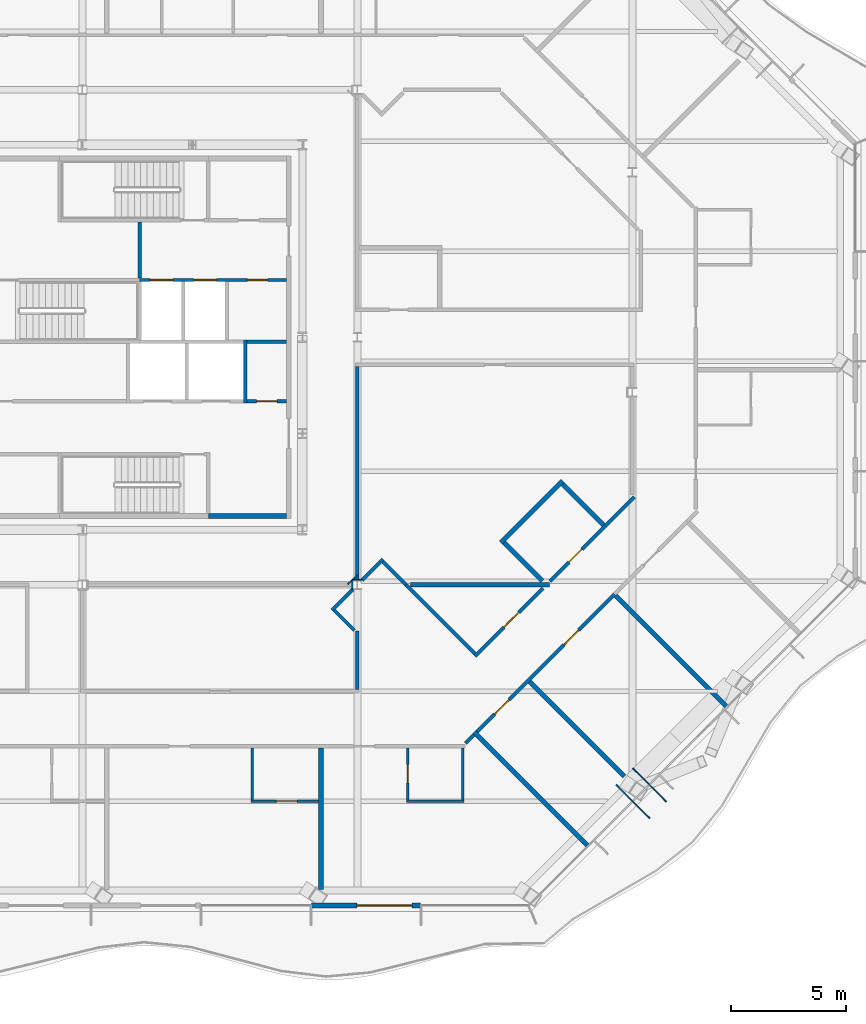
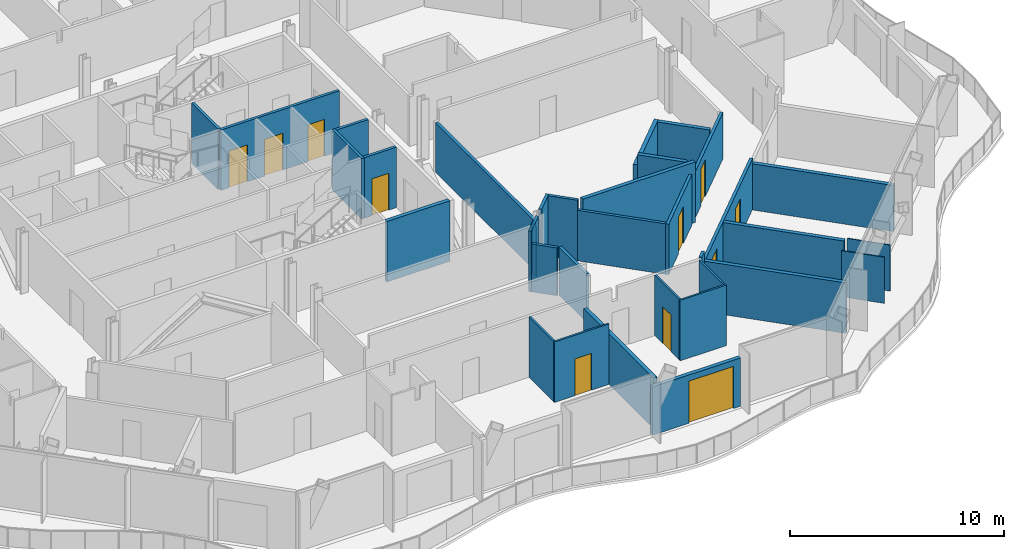
# One storey, part 9 of 19: 36 walls, 11 doors, 11 openings.
"""IFC4 building model written with IfcOpenShell, lengths in metres."""

from ifc_helpers import new_model, si_unit, direction, frame, frame_2d, origin, place, context, subcontext, project, spatial, polyline, rectangle, outline, extrude, material, layer, layer_set, type_object, element, fill, save


model = new_model("IFC4")

# Units and contexts
model_context = context("Model", 3, precision=1e-05, world=origin(), true_north=direction((0.0, 1.0)))
body_context = subcontext(model_context, "Body", "Model", "MODEL_VIEW")
ifc_project = project(units=[si_unit("LENGTHUNIT", "METRE"), si_unit("AREAUNIT", "SQUARE_METRE"), si_unit("VOLUMEUNIT", "CUBIC_METRE"), si_unit("PLANEANGLEUNIT", "RADIAN"), si_unit("MASSUNIT", "GRAM", prefix="KILO")], contexts=[model_context])

# Site, building, storey
site_placement = place(None, origin())
site = spatial("IfcSite", under=ifc_project, at=site_placement, CompositionType="ELEMENT")
building_placement = place(site_placement, origin())
building = spatial("IfcBuilding", under=site, at=building_placement, Name="Cairn Pilgrim Tower", CompositionType="ELEMENT")
storey_placement = place(building_placement, frame((0.0, 0.0, 190.199951171875)))
storey = spatial("IfcBuildingStorey", under=building, at=storey_placement, Name="L48", CompositionType="ELEMENT", Elevation=190.199951171875)

# Wall, opening, door
ifc_material_1 = material(Name="Bronze anodised aluminium insulated sandwich panel with mineral wool fill", Category="aluminium")
ifc_layer_1 = layer(ifc_material_1, 0.199951171875)
ifc_layer_set_1 = layer_set([ifc_layer_1], Name="BRONZE INFILL FRAME WALL 200")
wall_type_1 = type_object("IfcWallType", Name="BRONZE INFILL FRAME WALL 200", PredefinedType="NOTDEFINED", material=ifc_layer_set_1)
wall_1_placement = place(storey_placement, frame((17.205078125, -22.39990234375, 0.0), z_axis=(0.0, 0.0, 1.0), x_axis=(1.0, 0.0, 0.0)))
wall_1 = element("IfcWall", 1, at=wall_1_placement, inside=storey, type_object=wall_type_1, Name="Bronze infill frame wall IW-S5", PredefinedType="NOTDEFINED", context=body_context, shape_type="SweptSolid", body=[
    extrude(rectangle(XDim=4.739990234375, YDim=0.199951171875, at=frame_2d((2.3701171875, 0.0))), origin(), (0.0, 0.0, 1.0), 2.75),
])
opening_1_placement = place(wall_1_placement, frame((1.97021484375, 0.0, 0.0)))
opening_1 = element("IfcOpeningElement", 2, at=opening_1_placement, cuts=wall_1, Name="Opening 4802B", PredefinedType="OPENING", context=body_context, shape_type="SweptSolid", body=[
    extrude(rectangle(XDim=2.39990234375, YDim=2.39990234375, at=frame_2d((1.199951171875, 1.199951171875))), frame((0.0, 0.10986328125, 0.0), z_axis=(0.0, -1.0, 0.0), x_axis=(1.0, 0.0, 0.0)), (0.0, 0.0, 1.0), 0.219970703125),
])
ifc_material_2 = material(Name="Bronze anodised aluminium frame with tinted low-E glass", Category="aluminium")
door_type_1 = type_object("IfcDoorType", Name="BALCONY SLIDING DOOR 2400x2400", OperationType="DOUBLE_DOOR_SLIDING", PredefinedType="DOOR", material=ifc_material_2)
door_1_placement = place(opening_1_placement, origin())
door_1 = element("IfcDoor", 3, at=door_1_placement, inside=storey, type_object=door_type_1, Name="Balcony sliding door 4802B", OperationType="SINGLE_SWING_LEFT", OverallHeight=2.39990234375, OverallWidth=2.39990234375, PredefinedType="DOOR", context=body_context, shape_type="SweptSolid", body=[
    extrude(rectangle(XDim=2.39990234375, YDim=2.39990234375, at=frame_2d((1.199951171875, 1.199951171875))), frame((0.0, 0.02490234375, 0.0), z_axis=(0.0, -1.0, 0.0), x_axis=(1.0, 0.0, 0.0)), (0.0, 0.0, 1.0), 0.050048828125),
])
fill(opening_1, door_1)

# Wall
ifc_material_3 = material(Name="Concrete C32/40", Category="concrete")
ifc_layer_2 = layer(ifc_material_3, 0.199951171875)
ifc_layer_set_2 = layer_set([ifc_layer_2], Name="CORE OUTER WALL 200 EI 120")
wall_type_2 = type_object("IfcWallType", Name="CORE OUTER WALL 200 EI 120", PredefinedType="SOLIDWALL", material=ifc_layer_set_2)
wall_2_placement = place(storey_placement, frame((12.699951171875, -5.39990234375, 0.0), z_axis=(0.0, 0.0, 1.0), x_axis=(1.0, 0.0, 0.0)))
element("IfcWall", 4, at=wall_2_placement, inside=storey, type_object=wall_type_2, Name="CW:L48:H01-3", PredefinedType="SOLIDWALL", context=body_context, shape_type="SweptSolid", body=[
    extrude(rectangle(XDim=3.400146484375, YDim=0.199951171875, at=frame_2d((1.7001953125, 0.0))), origin(), (0.0, 0.0, 1.0), 3.449951171875),
])

# Wall, opening, door
ifc_layer_3 = layer(ifc_material_3, 0.14990234375)
ifc_layer_set_3 = layer_set([ifc_layer_3], Name="CORE PARTITION 150 EI 60")
wall_type_3 = type_object("IfcWallType", Name="CORE PARTITION 150 EI 60", PredefinedType="PARTITIONING", material=ifc_layer_set_3)
wall_3_placement = place(storey_placement, frame((14.375, -0.39990234375, 0.0), z_axis=(0.0, 0.0, 1.0), x_axis=(1.0, 0.0, 0.0)))
wall_3 = element("IfcWall", 5, at=wall_3_placement, inside=storey, type_object=wall_type_3, Name="CW:L48:H06", PredefinedType="PARTITIONING", context=body_context, shape_type="SweptSolid", body=[
    extrude(rectangle(XDim=1.72509765625, YDim=0.14990234375, at=frame_2d((0.862548828125, 0.0))), origin(), (0.0, 0.0, 1.0), 3.449951171875),
])
opening_2_placement = place(wall_3_placement, frame((0.425048828125, 0.0, 0.0)))
opening_2 = element("IfcOpeningElement", 6, at=opening_2_placement, cuts=wall_3, Name="Opening RD-R2E", PredefinedType="OPENING", context=body_context, shape_type="SweptSolid", body=[
    extrude(rectangle(XDim=0.89990234375, YDim=2.10009765625, at=frame_2d((0.449951171875, 1.050048828125))), frame((0.0, 0.0849609375, 0.0), z_axis=(0.0, -1.0, 0.0), x_axis=(1.0, 0.0, 0.0)), (0.0, 0.0, 1.0), 0.169921875),
])
ifc_material_4 = material(Name="Painted steel", Category="steel")
door_type_2 = type_object("IfcDoorType", Name="SERVICE ROOM DOOR 900x2100", OperationType="SINGLE_SWING_LEFT", PredefinedType="DOOR", material=ifc_material_4)
door_2_placement = place(opening_2_placement, origin())
door_2 = element("IfcDoor", 7, at=door_2_placement, inside=storey, type_object=door_type_2, Name="RD-R2E", OperationType="SINGLE_SWING_RIGHT", OverallHeight=2.10009765625, OverallWidth=0.89990234375, PredefinedType="DOOR", context=body_context, shape_type="SweptSolid", body=[
    extrude(rectangle(XDim=0.89990234375, YDim=2.10009765625, at=frame_2d((0.449951171875, 1.050048828125))), frame((0.0, 0.02490234375, 0.0), z_axis=(0.0, -1.0, 0.0), x_axis=(1.0, 0.0, 0.0)), (0.0, 0.0, 1.0), 0.050048828125),
])
fill(opening_2, door_2)

# Wall
wall_4_placement = place(storey_placement, frame((14.375, 2.199951171875, 0.0), z_axis=(0.0, 0.0, 1.0), x_axis=(1.0, 0.0, 0.0)))
element("IfcWall", 8, at=wall_4_placement, inside=storey, type_object=wall_type_3, Name="CW:L48:H08", PredefinedType="PARTITIONING", context=body_context, shape_type="SweptSolid", body=[
    extrude(rectangle(XDim=1.72509765625, YDim=0.14990234375, at=frame_2d((0.862548828125, 0.0))), origin(), (0.0, 0.0, 1.0), 3.449951171875),
])

# Wall, openings, doors
ifc_layer_4 = layer(ifc_material_3, 0.14990234375)
ifc_layer_set_4 = layer_set([ifc_layer_4], Name="CORE SHAFT WALL 150 EI 120")
wall_type_4 = type_object("IfcWallType", Name="CORE SHAFT WALL 150 EI 120", PredefinedType="SOLIDWALL", material=ifc_layer_set_4)
wall_5_placement = place(storey_placement, frame((9.699951171875, 4.89990234375, 0.0), z_axis=(0.0, 0.0, 1.0), x_axis=(1.0, 0.0, 0.0)))
wall_5 = element("IfcWall", 9, at=wall_5_placement, inside=storey, type_object=wall_type_4, Name="CW:L48:H09-3", PredefinedType="SOLIDWALL", context=body_context, shape_type="SweptSolid", body=[
    extrude(rectangle(XDim=6.400146484375, YDim=0.14990234375, at=frame_2d((3.2001953125, 0.0))), origin(), (0.0, 0.0, 1.0), 3.449951171875),
])
opening_3_placement = place(wall_5_placement, frame((0.449951171875, 0.0, 0.0)))
opening_3 = element("IfcOpeningElement", 10, at=opening_3_placement, cuts=wall_5, Name="Opening LD-FF1", PredefinedType="OPENING", context=body_context, shape_type="SweptSolid", body=[
    extrude(rectangle(XDim=1.0, YDim=2.10009765625, at=frame_2d((0.5, 1.050048828125))), frame((0.0, 0.0849609375, 0.0), z_axis=(0.0, -1.0, 0.0), x_axis=(1.0, 0.0, 0.0)), (0.0, 0.0, 1.0), 0.169921875),
])
opening_4_placement = place(wall_5_placement, frame((2.35009765625, 0.0, 0.0)))
opening_4 = element("IfcOpeningElement", 11, at=opening_4_placement, cuts=wall_5, Name="Opening LD-FF2", PredefinedType="OPENING", context=body_context, shape_type="SweptSolid", body=[
    extrude(rectangle(XDim=1.0, YDim=2.10009765625, at=frame_2d((0.5, 1.050048828125))), frame((0.0, 0.0849609375, 0.0), z_axis=(0.0, -1.0, 0.0), x_axis=(1.0, 0.0, 0.0)), (0.0, 0.0, 1.0), 0.169921875),
])
opening_5_placement = place(wall_5_placement, frame((4.699951171875, 0.0, 0.0)))
opening_5 = element("IfcOpeningElement", 12, at=opening_5_placement, cuts=wall_5, Name="Opening RD-R3E", PredefinedType="OPENING", context=body_context, shape_type="SweptSolid", body=[
    extrude(rectangle(XDim=0.89990234375, YDim=2.10009765625, at=frame_2d((0.449951171875, 1.050048828125))), frame((0.0, 0.0849609375, 0.0), z_axis=(0.0, -1.0, 0.0), x_axis=(1.0, 0.0, 0.0)), (0.0, 0.0, 1.0), 0.169921875),
])
ifc_material_5 = material(Name="Stainless steel", Category="steel")
door_type_3 = type_object("IfcDoorType", Name="LIFT LANDING DOOR FIRE 1000x2100", OperationType="DOUBLE_DOOR_SLIDING", PredefinedType="DOOR", material=ifc_material_5)
door_3_placement = place(opening_3_placement, origin())
door_3 = element("IfcDoor", 13, at=door_3_placement, inside=storey, type_object=door_type_3, Name="LANDING DOOR FF1", OperationType="DOUBLE_DOOR_SLIDING", OverallHeight=2.10009765625, OverallWidth=1.0, PredefinedType="DOOR", context=body_context, shape_type="SweptSolid", body=[
    extrude(rectangle(XDim=1.0, YDim=2.10009765625, at=frame_2d((0.5, 1.050048828125))), frame((0.0, 0.02490234375, 0.0), z_axis=(0.0, -1.0, 0.0), x_axis=(1.0, 0.0, 0.0)), (0.0, 0.0, 1.0), 0.050048828125),
])
fill(opening_3, door_3)
door_4_placement = place(opening_4_placement, origin())
door_4 = element("IfcDoor", 14, at=door_4_placement, inside=storey, type_object=door_type_3, Name="LANDING DOOR FF2", OperationType="DOUBLE_DOOR_SLIDING", OverallHeight=2.10009765625, OverallWidth=1.0, PredefinedType="DOOR", context=body_context, shape_type="SweptSolid", body=[
    extrude(rectangle(XDim=1.0, YDim=2.10009765625, at=frame_2d((0.5, 1.050048828125))), frame((0.0, 0.02490234375, 0.0), z_axis=(0.0, -1.0, 0.0), x_axis=(1.0, 0.0, 0.0)), (0.0, 0.0, 1.0), 0.050048828125),
])
fill(opening_4, door_4)
door_5_placement = place(opening_5_placement, origin())
door_5 = element("IfcDoor", 15, at=door_5_placement, inside=storey, type_object=door_type_2, Name="RD-R3E", OperationType="SINGLE_SWING_LEFT", OverallHeight=2.10009765625, OverallWidth=0.89990234375, PredefinedType="DOOR", context=body_context, shape_type="SweptSolid", body=[
    extrude(rectangle(XDim=0.89990234375, YDim=2.10009765625, at=frame_2d((0.449951171875, 1.050048828125))), frame((0.0, 0.02490234375, 0.0), z_axis=(0.0, -1.0, 0.0), x_axis=(1.0, 0.0, 0.0)), (0.0, 0.0, 1.0), 0.050048828125),
])
fill(opening_5, door_5)

# Walls
wall_6_placement = place(storey_placement, frame((9.699951171875, 4.97509765625, 0.0), z_axis=(0.0, 0.0, 1.0), x_axis=(0.0, 1.0, 0.0)))
element("IfcWall", 16, at=wall_6_placement, inside=storey, type_object=wall_type_4, Name="CW:L48:V22", PredefinedType="SOLIDWALL", context=body_context, shape_type="SweptSolid", body=[
    extrude(rectangle(XDim=2.449951171875, YDim=0.14990234375, at=frame_2d((1.22509765625, 0.0))), origin(), (0.0, 0.0, 1.0), 3.449951171875),
])
wall_7_placement = place(storey_placement, frame((14.300048828125, -0.47509765625, 0.0), z_axis=(0.0, 0.0, 1.0), x_axis=(0.0, 1.0, 0.0)))
element("IfcWall", 17, at=wall_7_placement, inside=storey, type_object=wall_type_4, Name="CW:L48:V28", PredefinedType="SOLIDWALL", context=body_context, shape_type="SweptSolid", body=[
    extrude(rectangle(XDim=2.75, YDim=0.14990234375, at=frame_2d((1.375, 0.0))), origin(), (0.0, 0.0, 1.0), 3.449951171875),
])

# Wall, opening, door
ifc_material_6 = material(Name="Gypsum partition")
ifc_layer_5 = layer(ifc_material_6, 0.10009765625)
ifc_layer_set_5 = layer_set([ifc_layer_5], Name="PARTITION 100 DRYWALL")
wall_type_5 = type_object("IfcWallType", Name="PARTITION 100 DRYWALL", PredefinedType="PARTITIONING", material=ifc_layer_set_5)
wall_8_placement = place(storey_placement, frame((14.56298828125, -17.85009765625, 0.0), z_axis=(0.0, 0.0, 1.0), x_axis=(1.0, 0.0, 0.0)))
wall_8 = element("IfcWall", 18, at=wall_8_placement, inside=storey, type_object=wall_type_5, Name="PARTITION W006", PredefinedType="PARTITIONING", context=body_context, shape_type="SweptSolid", body=[
    extrude(rectangle(XDim=2.949951171875, YDim=0.10009765625, at=frame_2d((1.47509765625, 0.0))), origin(), (0.0, 0.0, 1.0), 3.449951171875),
])
opening_6_placement = place(wall_8_placement, frame((1.10009765625, 0.0, 0.0)))
opening_6 = element("IfcOpeningElement", 19, at=opening_6_placement, cuts=wall_8, Name="Opening 4801A", PredefinedType="OPENING", context=body_context, shape_type="SweptSolid", body=[
    extrude(rectangle(XDim=0.89990234375, YDim=2.10009765625, at=frame_2d((0.449951171875, 1.050048828125))), frame((0.0, 0.06005859375, 0.0), z_axis=(0.0, -1.0, 0.0), x_axis=(1.0, 0.0, 0.0)), (0.0, 0.0, 1.0), 0.1201171875),
])
ifc_material_7 = material(Name="Timber door leaf", Category="wood")
door_type_4 = type_object("IfcDoorType", Name="WC DOOR 900x2100", OperationType="NOTDEFINED", PredefinedType="DOOR", material=ifc_material_7)
door_6_placement = place(opening_6_placement, frame((0.89990234375, 0.0, 0.0), z_axis=(0.0, 0.0, 1.0), x_axis=(-1.0, 0.0, 0.0)))
door_6 = element("IfcDoor", 20, at=door_6_placement, inside=storey, type_object=door_type_4, Name="DOOR 4801A", OperationType="SINGLE_SWING_RIGHT", OverallHeight=2.10009765625, OverallWidth=0.89990234375, PredefinedType="DOOR", context=body_context, shape_type="SweptSolid", body=[
    extrude(rectangle(XDim=0.89990234375, YDim=2.10009765625, at=frame_2d((0.449951171875, 1.050048828125))), frame((0.0, 0.02490234375, 0.0), z_axis=(0.0, -1.0, 0.0), x_axis=(1.0, 0.0, 0.0)), (0.0, 0.0, 1.0), 0.050048828125),
])
fill(opening_6, door_6)

# Walls
wall_9_placement = place(storey_placement, frame((21.343017578125, -17.85009765625, 0.0), z_axis=(0.0, 0.0, 1.0), x_axis=(1.0, 0.0, 0.0)))
element("IfcWall", 21, at=wall_9_placement, inside=storey, type_object=wall_type_5, Name="PARTITION W007", PredefinedType="PARTITIONING", context=body_context, shape_type="SweptSolid", body=[
    extrude(rectangle(XDim=2.5, YDim=0.10009765625, at=frame_2d((1.25, 0.0))), origin(), (0.0, 0.0, 1.0), 3.449951171875),
])
wall_10_placement = place(storey_placement, frame((14.613037109375, -17.800048828125, 0.0), z_axis=(0.0, 0.0, 1.0), x_axis=(0.0, 1.0, 0.0)))
element("IfcWall", 22, at=wall_10_placement, inside=storey, type_object=wall_type_5, Name="PARTITION W009", PredefinedType="PARTITIONING", context=body_context, shape_type="SweptSolid", body=[
    extrude(rectangle(XDim=2.275146484375, YDim=0.10009765625, at=frame_2d((1.1376953125, 0.0))), origin(), (0.0, 0.0, 1.0), 3.449951171875),
])

# Wall, opening, door
wall_11_placement = place(storey_placement, frame((21.39306640625, -17.800048828125, 0.0), z_axis=(0.0, 0.0, 1.0), x_axis=(0.0, 1.0, 0.0)))
wall_11 = element("IfcWall", 23, at=wall_11_placement, inside=storey, type_object=wall_type_5, Name="PARTITION W010", PredefinedType="PARTITIONING", context=body_context, shape_type="SweptSolid", body=[
    extrude(rectangle(XDim=2.275146484375, YDim=0.10009765625, at=frame_2d((1.1376953125, 0.0))), origin(), (0.0, 0.0, 1.0), 3.449951171875),
])
opening_7_placement = place(wall_11_placement, frame((0.75, 0.0, 0.0)))
opening_7 = element("IfcOpeningElement", 24, at=opening_7_placement, cuts=wall_11, Name="Opening 4802A", PredefinedType="OPENING", context=body_context, shape_type="SweptSolid", body=[
    extrude(rectangle(XDim=0.800048828125, YDim=2.10009765625, at=frame_2d((0.39990234375, 1.050048828125))), frame((0.0, 0.06005859375, 0.0), z_axis=(0.0, -1.0, 0.0), x_axis=(1.0, 0.0, 0.0)), (0.0, 0.0, 1.0), 0.1201171875),
])
door_type_5 = type_object("IfcDoorType", Name="WC DOOR 800x2100", OperationType="NOTDEFINED", PredefinedType="DOOR", material=ifc_material_7)
door_7_placement = place(opening_7_placement, origin())
door_7 = element("IfcDoor", 25, at=door_7_placement, inside=storey, type_object=door_type_5, Name="DOOR 4802A", OperationType="SINGLE_SWING_RIGHT", OverallHeight=2.10009765625, OverallWidth=0.800048828125, PredefinedType="DOOR", context=body_context, shape_type="SweptSolid", body=[
    extrude(rectangle(XDim=0.800048828125, YDim=2.10009765625, at=frame_2d((0.39990234375, 1.050048828125))), frame((0.0, 0.02490234375, 0.0), z_axis=(0.0, -1.0, 0.0), x_axis=(1.0, 0.0, 0.0)), (0.0, 0.0, 1.0), 0.050048828125),
])
fill(opening_7, door_7)

# Walls
wall_12_placement = place(storey_placement, frame((23.79296875, -17.800048828125, 0.0), z_axis=(0.0, 0.0, 1.0), x_axis=(0.0, 1.0, 0.0)))
element("IfcWall", 26, at=wall_12_placement, inside=storey, type_object=wall_type_5, Name="PARTITION W011", PredefinedType="PARTITIONING", context=body_context, shape_type="SweptSolid", body=[
    extrude(rectangle(XDim=2.275146484375, YDim=0.10009765625, at=frame_2d((1.1376953125, 0.0))), origin(), (0.0, 0.0, 1.0), 3.449951171875),
])
ifc_layer_6 = layer(ifc_material_6, 0.14990234375)
ifc_layer_set_6 = layer_set([ifc_layer_6], Name="PARTITION 150 DRYWALL EI 60")
wall_type_6 = type_object("IfcWallType", Name="PARTITION 150 DRYWALL EI 60", PredefinedType="PARTITIONING", material=ifc_layer_set_6)
wall_13_placement = place(storey_placement, frame((23.9208984375, -15.322021484375, 0.0), z_axis=(0.0, 0.0, 1.0), x_axis=(0.706151877993, 0.708060396582, 0.0)))
element("IfcWall", 27, at=wall_13_placement, inside=storey, type_object=wall_type_6, Name="PARTITION W016", PredefinedType="PARTITIONING", context=body_context, shape_type="SweptSolid", body=[
    extrude(rectangle(XDim=0.51171875, YDim=0.14990234375, at=frame_2d((0.255859375, 0.0))), origin(), (0.0, 0.0, 1.0), 3.449951171875),
])

# Wall, openings, doors
wall_14_placement = place(storey_placement, frame((24.423583984375, -14.818359375, 0.0), z_axis=(0.0, 0.0, 1.0), x_axis=(0.707106781187, 0.707106781187, 0.0)))
wall_14 = element("IfcWall", 28, at=wall_14_placement, inside=storey, type_object=wall_type_6, Name="PARTITION W017", PredefinedType="PARTITIONING", context=body_context, shape_type="SweptSolid", body=[
    extrude(rectangle(XDim=8.4814453125, YDim=0.14990234375, at=frame_2d((4.24072265625, 0.0))), origin(), (0.0, 0.0, 1.0), 2.880126953125),
])
opening_8_placement = place(wall_14_placement, frame((1.084716796875, 0.0, 0.0)))
opening_8 = element("IfcOpeningElement", 29, at=opening_8_placement, cuts=wall_14, Name="Opening 4803", PredefinedType="OPENING", context=body_context, shape_type="SweptSolid", body=[
    extrude(rectangle(XDim=0.89990234375, YDim=2.10009765625, at=frame_2d((0.449951171875, 1.050048828125))), frame((0.0, 0.0849609375, 0.0), z_axis=(0.0, -1.0, 0.0), x_axis=(1.0, 0.0, 0.0)), (0.0, 0.0, 1.0), 0.169921875),
])
opening_9_placement = place(wall_14_placement, frame((5.37548828125, 0.0, 0.0)))
opening_9 = element("IfcOpeningElement", 30, at=opening_9_placement, cuts=wall_14, Name="Opening 4804", PredefinedType="OPENING", context=body_context, shape_type="SweptSolid", body=[
    extrude(rectangle(XDim=0.89990234375, YDim=2.10009765625, at=frame_2d((0.449951171875, 1.050048828125))), frame((0.0, 0.0849609375, 0.0), z_axis=(0.0, -1.0, 0.0), x_axis=(1.0, 0.0, 0.0)), (0.0, 0.0, 1.0), 0.169921875),
])
door_type_6 = type_object("IfcDoorType", Name="SERVICE DOOR 900x2100 FD30S", OperationType="NOTDEFINED", PredefinedType="DOOR", material=ifc_material_7)
door_8_placement = place(opening_8_placement, frame((0.89990234375, 0.0, 0.0), z_axis=(0.0, 0.0, 1.0), x_axis=(-1.0, 0.0, 0.0)))
door_8 = element("IfcDoor", 31, at=door_8_placement, inside=storey, type_object=door_type_6, Name="DOOR 4803", OperationType="SINGLE_SWING_RIGHT", OverallHeight=2.10009765625, OverallWidth=0.89990234375, PredefinedType="DOOR", context=body_context, shape_type="SweptSolid", body=[
    extrude(rectangle(XDim=0.89990234375, YDim=2.10009765625, at=frame_2d((0.449951171875, 1.050048828125))), frame((0.0, 0.02490234375, 0.0), z_axis=(0.0, -1.0, 0.0), x_axis=(1.0, 0.0, 0.0)), (0.0, 0.0, 1.0), 0.050048828125),
])
fill(opening_8, door_8)
door_9_placement = place(opening_9_placement, frame((0.89990234375, 0.0, 0.0), z_axis=(0.0, 0.0, 1.0), x_axis=(-1.0, 0.0, 0.0)))
door_9 = element("IfcDoor", 32, at=door_9_placement, inside=storey, type_object=door_type_6, Name="DOOR 4804", OperationType="SINGLE_SWING_RIGHT", OverallHeight=2.10009765625, OverallWidth=0.89990234375, PredefinedType="DOOR", context=body_context, shape_type="SweptSolid", body=[
    extrude(rectangle(XDim=0.89990234375, YDim=2.10009765625, at=frame_2d((0.449951171875, 1.050048828125))), frame((0.0, 0.02490234375, 0.0), z_axis=(0.0, -1.0, 0.0), x_axis=(1.0, 0.0, 0.0)), (0.0, 0.0, 1.0), 0.050048828125),
])
fill(opening_9, door_9)

# Wall
wall_15_placement = place(storey_placement, frame((19.199951171875, -12.97509765625, 0.0), z_axis=(0.0, 0.0, 1.0), x_axis=(0.0, 1.0, 0.0)))
element("IfcWall", 33, at=wall_15_placement, inside=storey, type_object=wall_type_6, Name="PARTITION W024", PredefinedType="PARTITIONING", context=body_context, shape_type="SweptSolid", body=[
    extrude(rectangle(XDim=2.56005859375, YDim=0.14990234375, at=frame_2d((1.280029296875, 0.0))), origin(), (0.0, 0.0, 1.0), 2.72998046875),
])

# Wall, opening, door
wall_16_placement = place(storey_placement, frame((24.33203125, -11.51708984375, 0.0), z_axis=(0.0, 0.0, 1.0), x_axis=(0.706961133128, 0.707252399251, 0.0)))
wall_16 = element("IfcWall", 34, at=wall_16_placement, inside=storey, type_object=wall_type_6, Name="PARTITION W027", PredefinedType="PARTITIONING", context=body_context, shape_type="SweptSolid", body=[
    extrude(rectangle(XDim=4.19091796875, YDim=0.14990234375, at=frame_2d((2.095458984375, 0.0))), origin(), (0.0, 0.0, 1.0), 2.880126953125),
])
opening_10_placement = place(wall_16_placement, frame((1.791015625, 0.0, 0.0)))
opening_10 = element("IfcOpeningElement", 35, at=opening_10_placement, cuts=wall_16, Name="Opening 4822", PredefinedType="OPENING", context=body_context, shape_type="SweptSolid", body=[
    extrude(rectangle(XDim=0.89990234375, YDim=2.10009765625, at=frame_2d((0.449951171875, 1.050048828125))), frame((0.0, 0.0849609375, 0.0), z_axis=(0.0, -1.0, 0.0), x_axis=(1.0, 0.0, 0.0)), (0.0, 0.0, 1.0), 0.169921875),
])
door_10_placement = place(opening_10_placement, origin())
door_10 = element("IfcDoor", 36, at=door_10_placement, inside=storey, type_object=door_type_6, Name="DOOR 4822", OperationType="SINGLE_SWING_RIGHT", OverallHeight=2.10009765625, OverallWidth=0.89990234375, PredefinedType="DOOR", context=body_context, shape_type="SweptSolid", body=[
    extrude(rectangle(XDim=0.89990234375, YDim=2.10009765625, at=frame_2d((0.449951171875, 1.050048828125))), frame((0.0, 0.02490234375, 0.0), z_axis=(0.0, -1.0, 0.0), x_axis=(1.0, 0.0, 0.0)), (0.0, 0.0, 1.0), 0.050048828125),
])
fill(opening_10, door_10)

# Walls
wall_17_placement = place(storey_placement, frame((24.33203125, -11.410888671875, 0.0), z_axis=(0.0, 0.0, 1.0), x_axis=(-0.707106781187, 0.707106781187, 0.0)))
element("IfcWall", 37, at=wall_17_placement, inside=storey, type_object=wall_type_6, Name="PARTITION W028", PredefinedType="PARTITIONING", context=body_context, shape_type="SweptSolid", body=[
    extrude(rectangle(XDim=4.258056640625, YDim=0.14990234375, at=frame_2d((2.12890625, 0.0))), origin(), (0.0, 0.0, 1.0), 2.880126953125),
])
wall_18_placement = place(storey_placement, frame((19.072021484375, -10.39306640625, 0.0), z_axis=(0.0, 0.0, 1.0), x_axis=(-0.70740114323, 0.706812296552, 0.0)))
element("IfcWall", 38, at=wall_18_placement, inside=storey, type_object=wall_type_6, Name="PARTITION W030", PredefinedType="PARTITIONING", context=body_context, shape_type="SweptSolid", body=[
    extrude(rectangle(XDim=1.243896484375, YDim=0.14990234375, at=frame_2d((0.6220703125, 0.0))), origin(), (0.0, 0.0, 1.0), 2.72998046875),
])
wall_19_placement = place(storey_placement, frame((18.0859375, -9.513916015625, 0.0), z_axis=(0.0, 0.0, 1.0), x_axis=(0.707106781187, 0.707106781187, 0.0)))
element("IfcWall", 39, at=wall_19_placement, inside=storey, type_object=wall_type_6, Name="PARTITION W032", PredefinedType="PARTITIONING", context=body_context, shape_type="SweptSolid", body=[
    extrude(rectangle(XDim=1.29541015625, YDim=0.14990234375, at=frame_2d((0.647705078125, 0.0))), origin(), (0.0, 0.0, 1.0), 3.449951171875),
])
wall_20_placement = place(storey_placement, frame((21.321044921875, -8.39990234375, 0.0), z_axis=(0.0, 0.0, 1.0), x_axis=(-0.706763941595, 0.707449454633, 0.0)))
element("IfcWall", 40, at=wall_20_placement, inside=storey, type_object=wall_type_6, Name="PARTITION W038", PredefinedType="PARTITIONING", context=body_context, shape_type="SweptSolid", body=[
    extrude(rectangle(XDim=1.424560546875, YDim=0.14990234375, at=frame_2d((0.71240234375, 0.0))), origin(), (0.0, 0.0, 1.0), 3.449951171875),
])
wall_21_placement = place(storey_placement, frame((19.199951171875, -8.20361328125, 0.0), z_axis=(0.0, 0.0, 1.0), x_axis=(0.0, 1.0, 0.0)))
element("IfcWall", 41, at=wall_21_placement, inside=storey, type_object=wall_type_6, Name="PARTITION W040", PredefinedType="PARTITIONING", context=body_context, shape_type="SweptSolid", body=[
    extrude(rectangle(XDim=9.32861328125, YDim=0.14990234375, at=frame_2d((4.664306640625, 0.0))), origin(), (0.0, 0.0, 1.0), 2.830078125),
])
wall_22_placement = place(storey_placement, frame((19.39794921875, -8.201904296875, 0.0), z_axis=(0.0, 0.0, 1.0), x_axis=(0.707200993001, 0.707012556818, 0.0)))
element("IfcWall", 42, at=wall_22_placement, inside=storey, type_object=wall_type_6, Name="PARTITION W041", PredefinedType="PARTITIONING", context=body_context, shape_type="SweptSolid", body=[
    extrude(rectangle(XDim=1.295654296875, YDim=0.14990234375, at=frame_2d((0.64794921875, 0.0))), origin(), (0.0, 0.0, 1.0), 3.449951171875),
])

# Wall, opening, door
wall_23_placement = place(storey_placement, frame((27.60107421875, -8.2470703125, 0.0), z_axis=(0.0, 0.0, 1.0), x_axis=(0.707083286535, 0.707130275057, 0.0)))
wall_23 = element("IfcWall", 43, at=wall_23_placement, inside=storey, type_object=wall_type_6, Name="PARTITION W043", PredefinedType="PARTITIONING", context=body_context, shape_type="SweptSolid", body=[
    extrude(rectangle(XDim=5.19580078125, YDim=0.14990234375, at=frame_2d((2.597900390625, 0.0))), origin(), (0.0, 0.0, 1.0), 2.630126953125),
])
opening_11_placement = place(wall_23_placement, frame((1.18359375, 0.0, 0.0)))
opening_11 = element("IfcOpeningElement", 44, at=opening_11_placement, cuts=wall_23, Name="Opening 4819", PredefinedType="OPENING", context=body_context, shape_type="SweptSolid", body=[
    extrude(rectangle(XDim=0.800048828125, YDim=2.10009765625, at=frame_2d((0.39990234375, 1.050048828125))), frame((0.0, 0.0849609375, 0.0), z_axis=(0.0, -1.0, 0.0), x_axis=(1.0, 0.0, 0.0)), (0.0, 0.0, 1.0), 0.169921875),
])
door_type_7 = type_object("IfcDoorType", Name="WC DOOR 800x2100 FD30S", OperationType="NOTDEFINED", PredefinedType="DOOR", material=ifc_material_7)
door_11_placement = place(opening_11_placement, origin())
door_11 = element("IfcDoor", 45, at=door_11_placement, inside=storey, type_object=door_type_7, Name="DOOR 4819", OperationType="SINGLE_SWING_LEFT", OverallHeight=2.10009765625, OverallWidth=0.800048828125, PredefinedType="DOOR", context=body_context, shape_type="SweptSolid", body=[
    extrude(rectangle(XDim=0.800048828125, YDim=2.10009765625, at=frame_2d((0.39990234375, 1.050048828125))), frame((0.0, 0.02490234375, 0.0), z_axis=(0.0, -1.0, 0.0), x_axis=(1.0, 0.0, 0.0)), (0.0, 0.0, 1.0), 0.050048828125),
])
fill(opening_11, door_11)

# Walls
ifc_layer_7 = layer(ifc_material_6, 0.050048828125)
ifc_layer_set_7 = layer_set([ifc_layer_7], Name="PARTITION 50 DRYWALL EI 60")
wall_type_7 = type_object("IfcWallType", Name="PARTITION 50 DRYWALL EI 60", PredefinedType="PARTITIONING", material=ifc_layer_set_7)
wall_24_placement = place(storey_placement, frame((31.957763671875, -18.596923828125, 0.0), z_axis=(0.0, 0.0, 1.0), x_axis=(-0.707165699387, 0.707047858077, 0.0)))
element("IfcWall", 46, at=wall_24_placement, inside=storey, type_object=wall_type_7, Name="COLUMN CASING WC03", PredefinedType="PARTITIONING", context=body_context, shape_type="SweptSolid", body=[
    extrude(rectangle(XDim=2.07177734375, YDim=0.050048828125, at=frame_2d((1.035888671875, 0.0))), origin(), (0.0, 0.0, 1.0), 2.630126953125),
])
wall_25_placement = place(storey_placement, frame((32.685302734375, -17.869384765625, 0.0), z_axis=(0.0, 0.0, 1.0), x_axis=(-0.707106781187, 0.707106781187, 0.0)))
element("IfcWall", 47, at=wall_25_placement, inside=storey, type_object=wall_type_7, Name="COLUMN CASING WC04", PredefinedType="PARTITIONING", context=body_context, shape_type="SweptSolid", body=[
    extrude(rectangle(XDim=2.072021484375, YDim=0.050048828125, at=frame_2d((1.0361328125, 0.0))), origin(), (0.0, 0.0, 1.0), 2.630126953125),
])
wall_26_placement = place(storey_placement, frame((18.786376953125, -8.38232421875, 0.0), z_axis=(0.0, 0.0, 1.0), x_axis=(0.707106781187, 0.707106781187, 0.0)))
element("IfcWall", 48, at=wall_26_placement, inside=storey, type_object=wall_type_7, Name="COLUMN CASING WC09", PredefinedType="PARTITIONING", context=body_context, shape_type="SweptSolid", body=[
    extrude(rectangle(XDim=0.56005859375, YDim=0.050048828125, at=frame_2d((0.280029296875, 0.0))), origin(), (0.0, 0.0, 1.0), 2.830078125),
])
wall_27_placement = place(storey_placement, frame((19.00048828125, -8.178466796875, 0.0), z_axis=(0.0, 0.0, 1.0), x_axis=(1.0, 0.0, 0.0)))
element("IfcWall", 49, at=wall_27_placement, inside=storey, type_object=wall_type_7, Name="COLUMN CASING WC12", PredefinedType="PARTITIONING", context=body_context, shape_type="SweptSolid", body=[
    extrude(rectangle(XDim=0.39892578125, YDim=0.050048828125, at=frame_2d((0.199462890625, 0.0))), origin(), (0.0, 0.0, 1.0), 2.830078125),
])
wall_28_placement = place(storey_placement, frame((18.9755859375, -8.596435546875, 0.0), z_axis=(0.0, 0.0, 1.0), x_axis=(0.0, 1.0, 0.0)))
element("IfcWall", 50, at=wall_28_placement, inside=storey, type_object=wall_type_7, Name="COLUMN CASING WC13", PredefinedType="PARTITIONING", context=body_context, shape_type="SweptSolid", body=[
    extrude(rectangle(XDim=0.392822265625, YDim=0.050048828125, at=frame_2d((0.1962890625, 0.0))), origin(), (0.0, 0.0, 1.0), 2.830078125),
])
ifc_layer_8 = layer(ifc_material_6, 0.199951171875)
ifc_layer_set_8 = layer_set([ifc_layer_8], Name="SHAFT WALL 200 GYPSUM EI 60")
wall_type_8 = type_object("IfcWallType", Name="SHAFT WALL 200 GYPSUM EI 60", PredefinedType="PARTITIONING", material=ifc_layer_set_8)
wall_29_placement = place(storey_placement, frame((17.613037109375, -22.0322265625, 0.0), z_axis=(0.0, 0.0, 1.0), x_axis=(0.0, 1.0, 0.0)))
element("IfcWall", 51, at=wall_29_placement, inside=storey, type_object=wall_type_8, Name="PARTITION W002", PredefinedType="PARTITIONING", context=body_context, shape_type="SweptSolid", body=[
    extrude(outline(polyline([(0.334716796875, 0.0), (6.50732421875, 0.0), (6.50732421875, 0.862548828125), (6.50732421875, 1.72509765625), (6.50732421875, 2.587646484375), (6.50732421875, 2.880126953125), (0.0, 2.880126953125), (0.0, 2.587646484375), (0.319091796875, 1.72509765625), (0.334716796875, 0.862548828125), (0.334716796875, 0.0)])), frame((0.0, 0.10009765625, 0.0), z_axis=(0.0, -1.0, 0.0), x_axis=(1.0, 0.0, 0.0)), (0.0, 0.0, 1.0), 0.199951171875),
])
wall_30_placement = place(storey_placement, frame((29.234619140625, -19.7705078125, 0.0), z_axis=(0.0, 0.0, 1.0), x_axis=(-0.707124272789, 0.707089289151, 0.0)))
element("IfcWall", 52, at=wall_30_placement, inside=storey, type_object=wall_type_8, Name="PARTITION W003", PredefinedType="PARTITIONING", context=body_context, shape_type="SweptSolid", body=[
    extrude(rectangle(XDim=6.978759765625, YDim=0.199951171875, at=frame_2d((3.4892578125, 0.0))), origin(), (0.0, 0.0, 1.0), 2.880126953125),
])
wall_31_placement = place(storey_placement, frame((30.856689453125, -16.767822265625, 0.0), z_axis=(0.0, 0.0, 1.0), x_axis=(-0.707169352393, 0.707044204443, 0.0)))
element("IfcWall", 53, at=wall_31_placement, inside=storey, type_object=wall_type_8, Name="PARTITION W013", PredefinedType="PARTITIONING", context=body_context, shape_type="SweptSolid", body=[
    extrude(rectangle(XDim=5.8525390625, YDim=0.199951171875, at=frame_2d((2.92626953125, 0.0))), origin(), (0.0, 0.0, 1.0), 2.880126953125),
])
wall_32_placement = place(storey_placement, frame((35.293212890625, -13.693359375, 0.0), z_axis=(0.0, 0.0, 1.0), x_axis=(-0.70708887, 0.707124691919, 0.0)))
element("IfcWall", 54, at=wall_32_placement, inside=storey, type_object=wall_type_8, Name="PARTITION W018", PredefinedType="PARTITIONING", context=body_context, shape_type="SweptSolid", body=[
    extrude(rectangle(XDim=6.8154296875, YDim=0.199951171875, at=frame_2d((3.40771484375, 0.0))), origin(), (0.0, 0.0, 1.0), 2.630126953125),
])
wall_33_placement = place(storey_placement, frame((21.52685546875, -8.39990234375, 0.0), z_axis=(0.0, 0.0, 1.0), x_axis=(1.0, 0.0, 0.0)))
element("IfcWall", 55, at=wall_33_placement, inside=storey, type_object=wall_type_8, Name="PARTITION W039", PredefinedType="PARTITIONING", context=body_context, shape_type="SweptSolid", body=[
    extrude(rectangle(XDim=6.0625, YDim=0.199951171875, at=frame_2d((3.03125, 0.0))), origin(), (0.0, 0.0, 1.0), 3.449951171875),
])
wall_34_placement = place(storey_placement, frame((27.27734375, -8.229248046875, 0.0), z_axis=(0.0, 0.0, 1.0), x_axis=(-0.707158540274, 0.70705501831, 0.0)))
element("IfcWall", 56, at=wall_34_placement, inside=storey, type_object=wall_type_8, Name="PARTITION W042", PredefinedType="PARTITIONING", context=body_context, shape_type="SweptSolid", body=[
    extrude(rectangle(XDim=2.3583984375, YDim=0.199951171875, at=frame_2d((1.17919921875, 0.0))), origin(), (0.0, 0.0, 1.0), 3.449951171875),
])
wall_35_placement = place(storey_placement, frame((25.46826171875, -6.561767578125, 0.0), z_axis=(0.0, 0.0, 1.0), x_axis=(0.707106781187, 0.707106781187, 0.0)))
element("IfcWall", 57, at=wall_35_placement, inside=storey, type_object=wall_type_8, Name="PARTITION W045", PredefinedType="PARTITIONING", context=body_context, shape_type="SweptSolid", body=[
    extrude(rectangle(XDim=3.80078125, YDim=0.199951171875, at=frame_2d((1.900390625, 0.0))), origin(), (0.0, 0.0, 1.0), 2.880126953125),
])
wall_36_placement = place(storey_placement, frame((29.94091796875, -5.801025390625, 0.0), z_axis=(0.0, 0.0, 1.0), x_axis=(-0.707058430352, 0.707155128715, 0.0)))
element("IfcWall", 58, at=wall_36_placement, inside=storey, type_object=wall_type_8, Name="PARTITION W046", PredefinedType="PARTITIONING", context=body_context, shape_type="SweptSolid", body=[
    extrude(rectangle(XDim=2.524658203125, YDim=0.199951171875, at=frame_2d((1.26220703125, 0.0))), origin(), (0.0, 0.0, 1.0), 2.880126953125),
])

save(model, "model.ifc")
